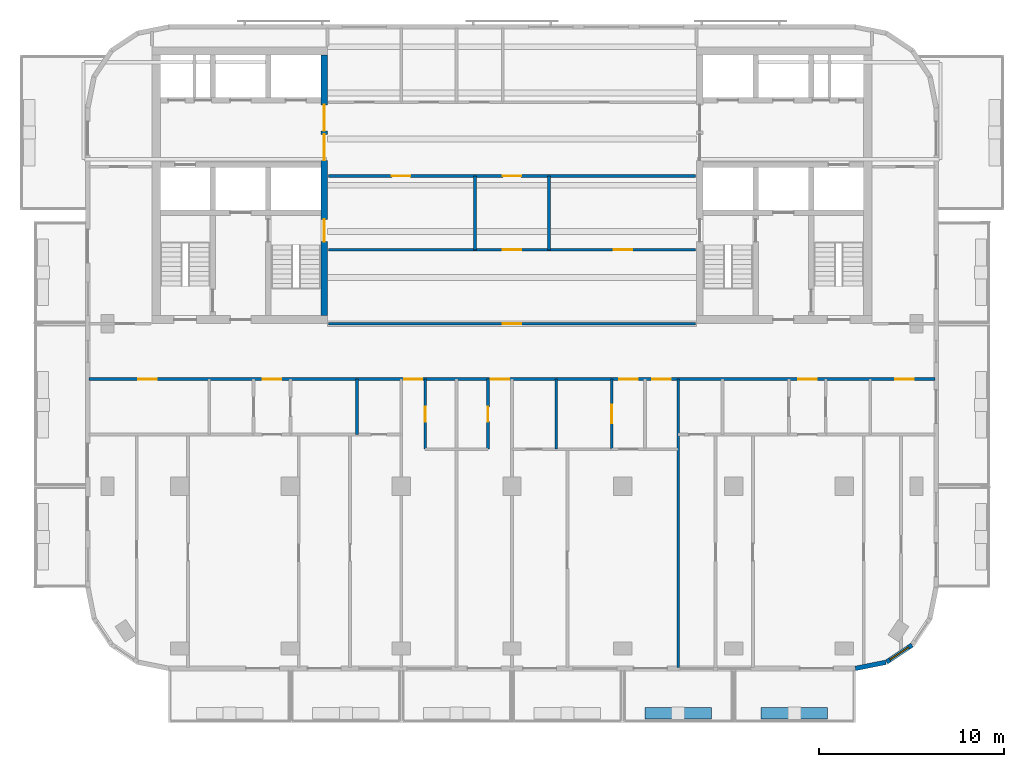
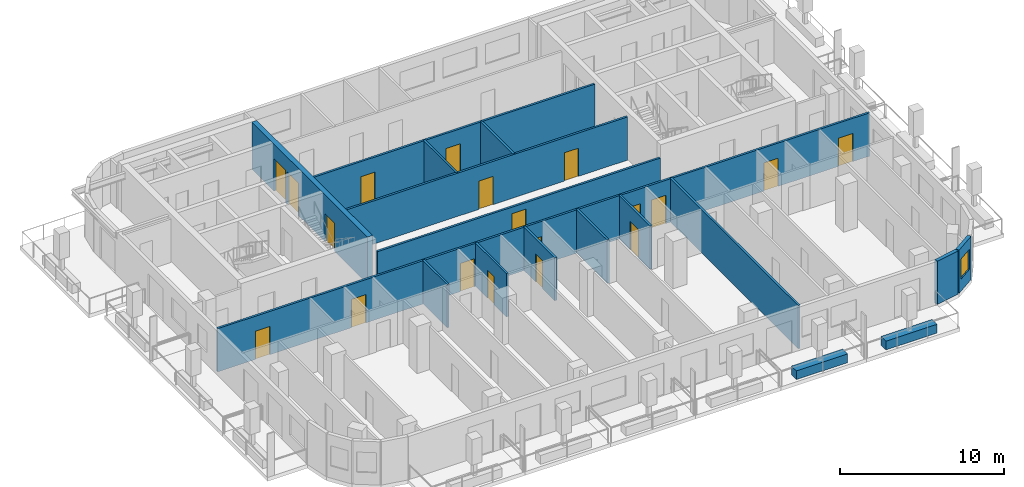
# One storey, part 4 of 11: 19 doors, 17 walls, 1 window, 20 openings.
"""IFC4 building model written with IfcOpenShell, lengths in metres."""

from ifc_helpers import new_model, si_unit, direction, frame, frame_2d, origin, place, context, subcontext, project, spatial, rectangle, extrude, material, layer, layer_set, type_object, element, fill, save


model = new_model("IFC4")

# Units and contexts
model_context = context("Model", 3, precision=1e-05, world=origin(), true_north=direction((0.0, 1.0)))
body_context = subcontext(model_context, "Body", "Model", "MODEL_VIEW")
ifc_project = project(units=[si_unit("LENGTHUNIT", "METRE"), si_unit("AREAUNIT", "SQUARE_METRE"), si_unit("VOLUMEUNIT", "CUBIC_METRE"), si_unit("PLANEANGLEUNIT", "RADIAN"), si_unit("MASSUNIT", "GRAM", prefix="KILO")], contexts=[model_context])

# Site, building, storey
site_placement = place(None, origin())
site = spatial("IfcSite", under=ifc_project, at=site_placement, CompositionType="ELEMENT")
building_placement = place(site_placement, origin())
building = spatial("IfcBuilding", under=site, at=building_placement, Name="Torana Hotel and Residences", CompositionType="ELEMENT")
storey_placement = place(building_placement, frame((0.0, 0.0, 298.10009765625)))
storey = spatial("IfcBuildingStorey", under=building, at=storey_placement, Name="L79", CompositionType="ELEMENT", Elevation=298.10009765625)

# Wall, openings, doors
ifc_material_1 = material(Name="Concrete C60/75", Category="concrete")
ifc_layer_1 = layer(ifc_material_1, 0.35009765625)
ifc_layer_set_1 = layer_set([ifc_layer_1], Name="CORE WALL 350 C60/75")
wall_type_1 = type_object("IfcWallType", Name="CORE WALL 350 C60/75", PredefinedType="SHEAR", material=ifc_layer_set_1)
wall_1_placement = place(storey_placement, frame((-10.175048828125, -14.550048828125, 0.0), z_axis=(0.0, 0.0, 1.0), x_axis=(0.0, 1.0, 0.0)))
wall_1 = element("IfcWall", 1, at=wall_1_placement, inside=storey, type_object=wall_type_1, Name="Core wall W arch", PredefinedType="SHEAR", context=body_context, shape_type="SweptSolid", body=[
    extrude(rectangle(XDim=14.10009765625, YDim=0.35009765625, at=frame_2d((7.050048828125, 0.0))), origin(), (0.0, 0.0, 1.0), 3.5),
])
opening_1_placement = place(wall_1_placement, frame((8.39990234375, 0.0, 0.0)))
opening_1 = element("IfcOpeningElement", 2, at=opening_1_placement, cuts=wall_1, Name="Opening L79-01", PredefinedType="OPENING", context=body_context, shape_type="SweptSolid", body=[
    extrude(rectangle(XDim=1.39990234375, YDim=2.39990234375, at=frame_2d((0.699951171875, 1.199951171875))), frame((0.0, 0.18505859375, 0.0), z_axis=(0.0, -1.0, 0.0), x_axis=(1.0, 0.0, 0.0)), (0.0, 0.0, 1.0), 0.3701171875),
])
opening_2_placement = place(wall_1_placement, frame((10.0, 0.0, 0.0)))
opening_2 = element("IfcOpeningElement", 3, at=opening_2_placement, cuts=wall_1, Name="Opening L79-02", PredefinedType="OPENING", context=body_context, shape_type="SweptSolid", body=[
    extrude(rectangle(XDim=1.39990234375, YDim=2.39990234375, at=frame_2d((0.699951171875, 1.199951171875))), frame((0.0, 0.18505859375, 0.0), z_axis=(0.0, -1.0, 0.0), x_axis=(1.0, 0.0, 0.0)), (0.0, 0.0, 1.0), 0.3701171875),
])
opening_3_placement = place(wall_1_placement, frame((4.0, 0.0, 0.0)))
opening_3 = element("IfcOpeningElement", 4, at=opening_3_placement, cuts=wall_1, Name="Opening L79-03", PredefinedType="OPENING", context=body_context, shape_type="SweptSolid", body=[
    extrude(rectangle(XDim=1.199951171875, YDim=2.10009765625, at=frame_2d((0.60009765625, 1.050048828125))), frame((0.0, 0.18505859375, 0.0), z_axis=(0.0, -1.0, 0.0), x_axis=(1.0, 0.0, 0.0)), (0.0, 0.0, 1.0), 0.3701171875),
])
ifc_material_2 = material(Name="Steel S235", Category="steel")
door_type_1 = type_object("IfcDoorType", Name="LOBBY FIRE DOOR D4 1400x2400", OperationType="DOUBLE_DOOR_SINGLE_SWING", PredefinedType="DOOR", material=ifc_material_2)
door_1_placement = place(opening_1_placement, origin())
door_1 = element("IfcDoor", 5, at=door_1_placement, inside=storey, type_object=door_type_1, Name="Lobby-1 door L79", OperationType="DOUBLE_DOOR_SINGLE_SWING", OverallHeight=2.39990234375, OverallWidth=1.39990234375, PredefinedType="DOOR", context=body_context, shape_type="SweptSolid", body=[
    extrude(rectangle(XDim=1.39990234375, YDim=2.39990234375, at=frame_2d((0.699951171875, 1.199951171875))), frame((0.0, 0.02490234375, 0.0), z_axis=(0.0, -1.0, 0.0), x_axis=(1.0, 0.0, 0.0)), (0.0, 0.0, 1.0), 0.050048828125),
])
fill(opening_1, door_1)
door_2_placement = place(opening_2_placement, origin())
door_2 = element("IfcDoor", 6, at=door_2_placement, inside=storey, type_object=door_type_1, Name="Lobby-2 door L79", OperationType="DOUBLE_DOOR_SINGLE_SWING", OverallHeight=2.39990234375, OverallWidth=1.39990234375, PredefinedType="DOOR", context=body_context, shape_type="SweptSolid", body=[
    extrude(rectangle(XDim=1.39990234375, YDim=2.39990234375, at=frame_2d((0.699951171875, 1.199951171875))), frame((0.0, 0.02490234375, 0.0), z_axis=(0.0, -1.0, 0.0), x_axis=(1.0, 0.0, 0.0)), (0.0, 0.0, 1.0), 0.050048828125),
])
fill(opening_2, door_2)
ifc_material_3 = material(Name="Steel S235", Category="steel")
door_type_2 = type_object("IfcDoorType", Name="STAIR FIRE DOOR D3 1200x2100", OperationType="SINGLE_SWING_LEFT", PredefinedType="DOOR", material=ifc_material_3)
door_3_placement = place(opening_3_placement, origin())
door_3 = element("IfcDoor", 7, at=door_3_placement, inside=storey, type_object=door_type_2, Name="Stair-A door L79", OperationType="SINGLE_SWING_LEFT", OverallHeight=2.10009765625, OverallWidth=1.199951171875, PredefinedType="DOOR", context=body_context, shape_type="SweptSolid", body=[
    extrude(rectangle(XDim=1.199951171875, YDim=2.10009765625, at=frame_2d((0.60009765625, 1.050048828125))), frame((0.0, 0.02490234375, 0.0), z_axis=(0.0, -1.0, 0.0), x_axis=(1.0, 0.0, 0.0)), (0.0, 0.0, 1.0), 0.050048828125),
])
fill(opening_3, door_3)

# Wall
ifc_material_4 = material(Name="Black aluminium composite panel", Category="aluminium")
ifc_layer_2 = layer(ifc_material_4, 0.00390625, Name="Cladding", Category="cladding")
ifc_material_5 = material(Name="Ventilated air cavity")
ifc_layer_3 = layer(ifc_material_5, 0.0400390625, Name="Ventilated cavity", Category="cavity")
ifc_material_6 = material(Name="Mineral wool insulation")
ifc_layer_4 = layer(ifc_material_6, 0.090087890625, Name="Insulation", Category="insulation")
ifc_material_7 = material(Name="Steel S280GD", Category="steel")
ifc_layer_5 = layer(ifc_material_7, 0.092041015625, Name="Steel stud frame", Category="structure")
ifc_material_8 = material(Name="Fire rated plasterboard")
ifc_layer_6 = layer(ifc_material_8, 0.011962890625, Name="Inner board", Category="finish")
ifc_layer_7 = layer(ifc_material_8, 0.011962890625, Name="Second board", Category="finish")
ifc_layer_set_2 = layer_set([ifc_layer_2, ifc_layer_3, ifc_layer_4, ifc_layer_5, ifc_layer_6, ifc_layer_7], Name="EW1 EXTERNAL WALL BLACK METAL CLAD 250")
wall_type_2 = type_object("IfcWallType", Name="EW1 EXTERNAL WALL BLACK METAL CLAD 250", PredefinedType="SOLIDWALL", material=ifc_layer_set_2)
wall_2_placement = place(storey_placement, frame((18.599853515625, -33.672607421875, 0.0), z_axis=(0.0, 0.0, 1.0), x_axis=(0.980770110232, 0.195166572128, 0.0)))
element("IfcWall", 8, at=wall_2_placement, inside=storey, type_object=wall_type_2, Name="External wall L79 e0.15", PredefinedType="SOLIDWALL", context=body_context, shape_type="SweptSolid", body=[
    extrude(rectangle(XDim=1.68115234375, YDim=0.25, at=frame_2d((0.840576171875, 0.0))), origin(), (0.0, 0.0, 1.0), 3.219970703125),
])

# Wall, opening, window
wall_3_placement = place(storey_placement, frame((20.2939453125, -33.325927734375, 0.0), z_axis=(0.0, 0.0, 1.0), x_axis=(0.831482937015, 0.55555029066, 0.0)))
wall_3 = element("IfcWall", 9, at=wall_3_placement, inside=storey, type_object=wall_type_2, Name="External wall L79 e0.16", PredefinedType="SOLIDWALL", context=body_context, shape_type="SweptSolid", body=[
    extrude(rectangle(XDim=1.65625, YDim=0.25, at=frame_2d((0.828125, 0.0))), origin(), (0.0, 0.0, 1.0), 3.219970703125),
])
opening_4_placement = place(wall_3_placement, frame((0.228271484375, 0.0, 0.89990234375)))
opening_4 = element("IfcOpeningElement", 10, at=opening_4_placement, cuts=wall_3, Name="Opening W5", PredefinedType="OPENING", context=body_context, shape_type="SweptSolid", body=[
    extrude(rectangle(XDim=1.199951171875, YDim=1.5, at=frame_2d((0.60009765625, 0.75))), frame((0.0, 0.135009765625, 0.0), z_axis=(0.0, -1.0, 0.0), x_axis=(1.0, 0.0, 0.0)), (0.0, 0.0, 1.0), 0.27001953125),
])
ifc_material_9 = material(Name="Dark glass in black aluminium frame", Category="aluminium")
window_type = type_object("IfcWindowType", Name="W5 CORNER FACET WINDOW 1200x1500", PartitioningType="SINGLE_PANEL", PredefinedType="WINDOW", material=ifc_material_9)
window_placement = place(opening_4_placement, origin())
window = element("IfcWindow", 11, at=window_placement, inside=storey, type_object=window_type, Name="Window L79 e0.16", OverallHeight=1.5, OverallWidth=1.199951171875, PartitioningType="SINGLE_PANEL", PredefinedType="WINDOW", context=body_context, shape_type="SweptSolid", body=[
    extrude(rectangle(XDim=1.199951171875, YDim=1.5, at=frame_2d((0.60009765625, 0.75))), frame((0.0, 0.030029296875, 0.0), z_axis=(0.0, -1.0, 0.0), x_axis=(1.0, 0.0, 0.0)), (0.0, 0.0, 1.0), 0.06005859375),
])
fill(opening_4, window)

# Wall, opening, door
ifc_material_10 = material(Name="Gypsum plaster")
ifc_layer_8 = layer(ifc_material_10, 0.014892578125, Name="Plaster", Category="finish")
ifc_material_11 = material(Name="Concrete blockwork", Category="masonry")
ifc_layer_9 = layer(ifc_material_11, 0.1201171875, Name="Blockwork", Category="structure")
ifc_layer_10 = layer(ifc_material_10, 0.014892578125, Name="Plaster", Category="finish")
ifc_layer_set_3 = layer_set([ifc_layer_8, ifc_layer_9, ifc_layer_10], Name="FIRE PARTITION 150 BLOCKWORK")
wall_type_3 = type_object("IfcWallType", Name="FIRE PARTITION 150 BLOCKWORK", PredefinedType="PARTITIONING", material=ifc_layer_set_3)
wall_4_placement = place(storey_placement, frame((5.39990234375, -21.800048828125, 0.0), z_axis=(0.0, 0.0, 1.0), x_axis=(0.0, 1.0, 0.0)))
wall_4 = element("IfcWall", 12, at=wall_4_placement, inside=storey, type_object=wall_type_3, Name="Partition L79", PredefinedType="PARTITIONING", context=body_context, shape_type="SweptSolid", body=[
    extrude(rectangle(XDim=3.800048828125, YDim=0.14990234375, at=frame_2d((1.89990234375, 0.0))), origin(), (0.0, 0.0, 1.0), 3.219970703125),
])
opening_5_placement = place(wall_4_placement, frame((1.39990234375, 0.0, 0.0)))
opening_5 = element("IfcOpeningElement", 13, at=opening_5_placement, cuts=wall_4, Name="Opening L79-41", PredefinedType="OPENING", context=body_context, shape_type="SweptSolid", body=[
    extrude(rectangle(XDim=1.0, YDim=2.10009765625, at=frame_2d((0.5, 1.050048828125))), frame((0.0, 0.0849609375, 0.0), z_axis=(0.0, -1.0, 0.0), x_axis=(1.0, 0.0, 0.0)), (0.0, 0.0, 1.0), 0.169921875),
])
ifc_material_12 = material(Name="Steel S235", Category="steel")
door_type_3 = type_object("IfcDoorType", Name="ENTRY FIRE DOOR D6 1000x2100", OperationType="SINGLE_SWING_LEFT", PredefinedType="DOOR", material=ifc_material_12)
door_4_placement = place(opening_5_placement, origin())
door_4 = element("IfcDoor", 14, at=door_4_placement, inside=storey, type_object=door_type_3, Name="Door L79", OperationType="SINGLE_SWING_RIGHT", OverallHeight=2.10009765625, OverallWidth=1.0, PredefinedType="DOOR", context=body_context, shape_type="SweptSolid", body=[
    extrude(rectangle(XDim=1.0, YDim=2.10009765625, at=frame_2d((0.5, 1.050048828125))), frame((0.0, 0.02490234375, 0.0), z_axis=(0.0, -1.0, 0.0), x_axis=(1.0, 0.0, 0.0)), (0.0, 0.0, 1.0), 0.050048828125),
])
fill(opening_5, door_4)

# Walls
for number, where, z_axis, x_axis, name in (
    (15, (2.0, -11.0, 0.0), (0.0, 0.0, 1.0), (0.0, 1.0, 0.0), "Partition L79"),
    (16, (-2.0, -11.0, 0.0), (0.0, 0.0, 1.0), (0.0, 1.0, 0.0), "Partition L79"),
):
    element("IfcWall", number, at=place(storey_placement, frame(where, z_axis=z_axis, x_axis=x_axis)), inside=storey, type_object=wall_type_3, Name=name, PredefinedType="PARTITIONING", context=body_context, shape_type="SweptSolid", body=[
        extrude(rectangle(XDim=4.0, YDim=0.14990234375, at=frame_2d((2.0, 0.0))), origin(), (0.0, 0.0, 1.0), 3.219970703125),
    ])

# Wall, openings, doors
wall_5_placement = place(storey_placement, frame((-22.919921875, -18.0, 0.0), z_axis=(0.0, 0.0, 1.0), x_axis=(1.0, 0.0, 0.0)))
wall_5 = element("IfcWall", 17, at=wall_5_placement, inside=storey, type_object=wall_type_3, Name="Partition L79", PredefinedType="PARTITIONING", context=body_context, shape_type="SweptSolid", body=[
    extrude(rectangle(XDim=45.83984375, YDim=0.14990234375, at=frame_2d((22.919921875, 0.0))), origin(), (0.0, 0.0, 1.0), 3.219970703125),
])
opening_6_placement = place(wall_5_placement, frame((17.070068359375, 0.0, 0.0)))
opening_6 = element("IfcOpeningElement", 18, at=opening_6_placement, cuts=wall_5, Name="Opening L79-20", PredefinedType="OPENING", context=body_context, shape_type="SweptSolid", body=[
    extrude(rectangle(XDim=1.0, YDim=2.10009765625, at=frame_2d((0.5, 1.050048828125))), frame((0.0, 0.0849609375, 0.0), z_axis=(0.0, -1.0, 0.0), x_axis=(1.0, 0.0, 0.0)), (0.0, 0.0, 1.0), 0.169921875),
])
opening_7_placement = place(wall_5_placement, frame((21.77001953125, 0.0, 0.0)))
opening_7 = element("IfcOpeningElement", 19, at=opening_7_placement, cuts=wall_5, Name="Opening L79-21", PredefinedType="OPENING", context=body_context, shape_type="SweptSolid", body=[
    extrude(rectangle(XDim=1.0, YDim=2.10009765625, at=frame_2d((0.5, 1.050048828125))), frame((0.0, 0.0849609375, 0.0), z_axis=(0.0, -1.0, 0.0), x_axis=(1.0, 0.0, 0.0)), (0.0, 0.0, 1.0), 0.169921875),
])
opening_8_placement = place(wall_5_placement, frame((28.719970703125, 0.0, 0.0)))
opening_8 = element("IfcOpeningElement", 20, at=opening_8_placement, cuts=wall_5, Name="Opening L79-22", PredefinedType="OPENING", context=body_context, shape_type="SweptSolid", body=[
    extrude(rectangle(XDim=1.0, YDim=2.10009765625, at=frame_2d((0.5, 1.050048828125))), frame((0.0, 0.0849609375, 0.0), z_axis=(0.0, -1.0, 0.0), x_axis=(1.0, 0.0, 0.0)), (0.0, 0.0, 1.0), 0.169921875),
])
opening_9_placement = place(wall_5_placement, frame((30.52001953125, 0.0, 0.0)))
opening_9 = element("IfcOpeningElement", 21, at=opening_9_placement, cuts=wall_5, Name="Opening L79-23", PredefinedType="OPENING", context=body_context, shape_type="SweptSolid", body=[
    extrude(rectangle(XDim=1.0, YDim=2.10009765625, at=frame_2d((0.5, 1.050048828125))), frame((0.0, 0.0849609375, 0.0), z_axis=(0.0, -1.0, 0.0), x_axis=(1.0, 0.0, 0.0)), (0.0, 0.0, 1.0), 0.169921875),
])
opening_10_placement = place(wall_5_placement, frame((9.419921875, 0.0, 0.0)))
opening_10 = element("IfcOpeningElement", 22, at=opening_10_placement, cuts=wall_5, Name="Opening L79-24", PredefinedType="OPENING", context=body_context, shape_type="SweptSolid", body=[
    extrude(rectangle(XDim=1.0, YDim=2.10009765625, at=frame_2d((0.5, 1.050048828125))), frame((0.0, 0.0849609375, 0.0), z_axis=(0.0, -1.0, 0.0), x_axis=(1.0, 0.0, 0.0)), (0.0, 0.0, 1.0), 0.169921875),
])
opening_11_placement = place(wall_5_placement, frame((2.669921875, 0.0, 0.0)))
opening_11 = element("IfcOpeningElement", 23, at=opening_11_placement, cuts=wall_5, Name="Opening L79-25", PredefinedType="OPENING", context=body_context, shape_type="SweptSolid", body=[
    extrude(rectangle(XDim=1.0, YDim=2.10009765625, at=frame_2d((0.5, 1.050048828125))), frame((0.0, 0.0849609375, 0.0), z_axis=(0.0, -1.0, 0.0), x_axis=(1.0, 0.0, 0.0)), (0.0, 0.0, 1.0), 0.169921875),
])
opening_12_placement = place(wall_5_placement, frame((38.419921875, 0.0, 0.0)))
opening_12 = element("IfcOpeningElement", 24, at=opening_12_placement, cuts=wall_5, Name="Opening L79-26", PredefinedType="OPENING", context=body_context, shape_type="SweptSolid", body=[
    extrude(rectangle(XDim=1.0, YDim=2.10009765625, at=frame_2d((0.5, 1.050048828125))), frame((0.0, 0.0849609375, 0.0), z_axis=(0.0, -1.0, 0.0), x_axis=(1.0, 0.0, 0.0)), (0.0, 0.0, 1.0), 0.169921875),
])
opening_13_placement = place(wall_5_placement, frame((43.669921875, 0.0, 0.0)))
opening_13 = element("IfcOpeningElement", 25, at=opening_13_placement, cuts=wall_5, Name="Opening L79-27", PredefinedType="OPENING", context=body_context, shape_type="SweptSolid", body=[
    extrude(rectangle(XDim=1.0, YDim=2.10009765625, at=frame_2d((0.5, 1.050048828125))), frame((0.0, 0.0849609375, 0.0), z_axis=(0.0, -1.0, 0.0), x_axis=(1.0, 0.0, 0.0)), (0.0, 0.0, 1.0), 0.169921875),
])
door_5_placement = place(opening_6_placement, frame((0.5, 0.0, 0.0), z_axis=(0.0, 0.0, 1.0), x_axis=(-1.0, 0.0, 0.0)))
door_5 = element("IfcDoor", 26, at=door_5_placement, inside=storey, type_object=door_type_3, Name="Door L79", OperationType="SINGLE_SWING_LEFT", OverallHeight=2.10009765625, OverallWidth=1.0, PredefinedType="DOOR", context=body_context, shape_type="SweptSolid", body=[
    extrude(rectangle(XDim=1.0, YDim=2.10009765625, at=frame_2d((0.0, 1.050048828125))), frame((0.0, -0.02490234375, 0.0), z_axis=(0.0, 1.0, 0.0), x_axis=(-1.0, 0.0, 0.0)), (0.0, 0.0, 1.0), 0.050048828125),
])
fill(opening_6, door_5)
door_6_placement = place(opening_7_placement, frame((0.5, 0.0, 0.0), z_axis=(0.0, 0.0, 1.0), x_axis=(-1.0, 0.0, 0.0)))
door_6 = element("IfcDoor", 27, at=door_6_placement, inside=storey, type_object=door_type_3, Name="Door L79", OperationType="SINGLE_SWING_LEFT", OverallHeight=2.10009765625, OverallWidth=1.0, PredefinedType="DOOR", context=body_context, shape_type="SweptSolid", body=[
    extrude(rectangle(XDim=1.0, YDim=2.10009765625, at=frame_2d((0.0, 1.050048828125))), frame((0.0, -0.02490234375, 0.0), z_axis=(0.0, 1.0, 0.0), x_axis=(-1.0, 0.0, 0.0)), (0.0, 0.0, 1.0), 0.050048828125),
])
fill(opening_7, door_6)
door_7_placement = place(opening_8_placement, origin())
door_7 = element("IfcDoor", 28, at=door_7_placement, inside=storey, type_object=door_type_3, Name="Door L79", OperationType="SINGLE_SWING_RIGHT", OverallHeight=2.10009765625, OverallWidth=1.0, PredefinedType="DOOR", context=body_context, shape_type="SweptSolid", body=[
    extrude(rectangle(XDim=1.0, YDim=2.10009765625, at=frame_2d((0.5, 1.050048828125))), frame((0.0, 0.02490234375, 0.0), z_axis=(0.0, -1.0, 0.0), x_axis=(1.0, 0.0, 0.0)), (0.0, 0.0, 1.0), 0.050048828125),
])
fill(opening_8, door_7)
door_8_placement = place(opening_9_placement, frame((0.5, 0.0, 0.0), z_axis=(0.0, 0.0, 1.0), x_axis=(-1.0, 0.0, 0.0)))
door_8 = element("IfcDoor", 29, at=door_8_placement, inside=storey, type_object=door_type_3, Name="Door L79", OperationType="SINGLE_SWING_LEFT", OverallHeight=2.10009765625, OverallWidth=1.0, PredefinedType="DOOR", context=body_context, shape_type="SweptSolid", body=[
    extrude(rectangle(XDim=1.0, YDim=2.10009765625, at=frame_2d((0.0, 1.050048828125))), frame((0.0, -0.02490234375, 0.0), z_axis=(0.0, 1.0, 0.0), x_axis=(-1.0, 0.0, 0.0)), (0.0, 0.0, 1.0), 0.050048828125),
])
fill(opening_9, door_8)
door_9_placement = place(opening_10_placement, origin())
door_9 = element("IfcDoor", 30, at=door_9_placement, inside=storey, type_object=door_type_3, Name="Door L79", OperationType="SINGLE_SWING_RIGHT", OverallHeight=2.10009765625, OverallWidth=1.0, PredefinedType="DOOR", context=body_context, shape_type="SweptSolid", body=[
    extrude(rectangle(XDim=1.0, YDim=2.10009765625, at=frame_2d((0.5, 1.050048828125))), frame((0.0, 0.02490234375, 0.0), z_axis=(0.0, -1.0, 0.0), x_axis=(1.0, 0.0, 0.0)), (0.0, 0.0, 1.0), 0.050048828125),
])
fill(opening_10, door_9)
door_10_placement = place(opening_11_placement, frame((0.5, 0.0, 0.0), z_axis=(0.0, 0.0, 1.0), x_axis=(-1.0, 0.0, 0.0)))
door_10 = element("IfcDoor", 31, at=door_10_placement, inside=storey, type_object=door_type_3, Name="Door L79", OperationType="SINGLE_SWING_LEFT", OverallHeight=2.10009765625, OverallWidth=1.0, PredefinedType="DOOR", context=body_context, shape_type="SweptSolid", body=[
    extrude(rectangle(XDim=1.0, YDim=2.10009765625, at=frame_2d((0.0, 1.050048828125))), frame((0.0, -0.02490234375, 0.0), z_axis=(0.0, 1.0, 0.0), x_axis=(-1.0, 0.0, 0.0)), (0.0, 0.0, 1.0), 0.050048828125),
])
fill(opening_11, door_10)
door_11_placement = place(opening_12_placement, origin())
door_11 = element("IfcDoor", 32, at=door_11_placement, inside=storey, type_object=door_type_3, Name="Door L79", OperationType="SINGLE_SWING_RIGHT", OverallHeight=2.10009765625, OverallWidth=1.0, PredefinedType="DOOR", context=body_context, shape_type="SweptSolid", body=[
    extrude(rectangle(XDim=1.0, YDim=2.10009765625, at=frame_2d((0.5, 1.050048828125))), frame((0.0, 0.02490234375, 0.0), z_axis=(0.0, -1.0, 0.0), x_axis=(1.0, 0.0, 0.0)), (0.0, 0.0, 1.0), 0.050048828125),
])
fill(opening_12, door_11)
door_12_placement = place(opening_13_placement, frame((0.5, 0.0, 0.0), z_axis=(0.0, 0.0, 1.0), x_axis=(-1.0, 0.0, 0.0)))
door_12 = element("IfcDoor", 33, at=door_12_placement, inside=storey, type_object=door_type_3, Name="Door L79", OperationType="SINGLE_SWING_RIGHT", OverallHeight=2.10009765625, OverallWidth=1.0, PredefinedType="DOOR", context=body_context, shape_type="SweptSolid", body=[
    extrude(rectangle(XDim=1.0, YDim=2.10009765625, at=frame_2d((0.0, 1.050048828125))), frame((0.0, -0.02490234375, 0.0), z_axis=(0.0, 1.0, 0.0), x_axis=(-1.0, 0.0, 0.0)), (0.0, 0.0, 1.0), 0.050048828125),
])
fill(opening_13, door_12)

# Wall, opening, door
wall_6_placement = place(storey_placement, frame((-9.949951171875, -15.0, 0.0), z_axis=(0.0, 0.0, 1.0), x_axis=(1.0, 0.0, 0.0)))
wall_6 = element("IfcWall", 34, at=wall_6_placement, inside=storey, type_object=wall_type_3, Name="Partition L79", PredefinedType="PARTITIONING", context=body_context, shape_type="SweptSolid", body=[
    extrude(rectangle(XDim=19.89990234375, YDim=0.14990234375, at=frame_2d((9.949951171875, 0.0))), origin(), (0.0, 0.0, 1.0), 2.583984375),
])
opening_14_placement = place(wall_6_placement, frame((9.449951171875, 0.0, 0.0)))
opening_14 = element("IfcOpeningElement", 35, at=opening_14_placement, cuts=wall_6, Name="Opening L79-19", PredefinedType="OPENING", context=body_context, shape_type="SweptSolid", body=[
    extrude(rectangle(XDim=1.0, YDim=2.10009765625, at=frame_2d((0.5, 1.050048828125))), frame((0.0, 0.0849609375, 0.0), z_axis=(0.0, -1.0, 0.0), x_axis=(1.0, 0.0, 0.0)), (0.0, 0.0, 1.0), 0.169921875),
])
door_13_placement = place(opening_14_placement, origin())
door_13 = element("IfcDoor", 36, at=door_13_placement, inside=storey, type_object=door_type_3, Name="Door L79", OperationType="SINGLE_SWING_RIGHT", OverallHeight=2.10009765625, OverallWidth=1.0, PredefinedType="DOOR", context=body_context, shape_type="SweptSolid", body=[
    extrude(rectangle(XDim=1.0, YDim=2.10009765625, at=frame_2d((0.5, 1.050048828125))), frame((0.0, 0.02490234375, 0.0), z_axis=(0.0, -1.0, 0.0), x_axis=(1.0, 0.0, 0.0)), (0.0, 0.0, 1.0), 0.050048828125),
])
fill(opening_14, door_13)

# Wall, openings, doors
wall_7_placement = place(storey_placement, frame((-9.949951171875, -11.0, 0.0), z_axis=(0.0, 0.0, 1.0), x_axis=(1.0, 0.0, 0.0)))
wall_7 = element("IfcWall", 37, at=wall_7_placement, inside=storey, type_object=wall_type_3, Name="Partition L79", PredefinedType="PARTITIONING", context=body_context, shape_type="SweptSolid", body=[
    extrude(rectangle(XDim=19.89990234375, YDim=0.14990234375, at=frame_2d((9.949951171875, 0.0))), origin(), (0.0, 0.0, 1.0), 3.219970703125),
])
opening_15_placement = place(wall_7_placement, frame((9.449951171875, 0.0, 0.0)))
opening_15 = element("IfcOpeningElement", 38, at=opening_15_placement, cuts=wall_7, Name="Opening L79-30", PredefinedType="OPENING", context=body_context, shape_type="SweptSolid", body=[
    extrude(rectangle(XDim=1.0, YDim=2.10009765625, at=frame_2d((0.5, 1.050048828125))), frame((0.0, 0.0849609375, 0.0), z_axis=(0.0, -1.0, 0.0), x_axis=(1.0, 0.0, 0.0)), (0.0, 0.0, 1.0), 0.169921875),
])
opening_16_placement = place(wall_7_placement, frame((15.449951171875, 0.0, 0.0)))
opening_16 = element("IfcOpeningElement", 39, at=opening_16_placement, cuts=wall_7, Name="Opening L79-31", PredefinedType="OPENING", context=body_context, shape_type="SweptSolid", body=[
    extrude(rectangle(XDim=1.0, YDim=2.10009765625, at=frame_2d((0.5, 1.050048828125))), frame((0.0, 0.0849609375, 0.0), z_axis=(0.0, -1.0, 0.0), x_axis=(1.0, 0.0, 0.0)), (0.0, 0.0, 1.0), 0.169921875),
])
door_14_placement = place(opening_15_placement, origin())
door_14 = element("IfcDoor", 40, at=door_14_placement, inside=storey, type_object=door_type_3, Name="Door L79", OperationType="SINGLE_SWING_RIGHT", OverallHeight=2.10009765625, OverallWidth=1.0, PredefinedType="DOOR", context=body_context, shape_type="SweptSolid", body=[
    extrude(rectangle(XDim=1.0, YDim=2.10009765625, at=frame_2d((0.5, 1.050048828125))), frame((0.0, 0.02490234375, 0.0), z_axis=(0.0, -1.0, 0.0), x_axis=(1.0, 0.0, 0.0)), (0.0, 0.0, 1.0), 0.050048828125),
])
fill(opening_15, door_14)
door_15_placement = place(opening_16_placement, origin())
door_15 = element("IfcDoor", 41, at=door_15_placement, inside=storey, type_object=door_type_3, Name="Door L79", OperationType="SINGLE_SWING_RIGHT", OverallHeight=2.10009765625, OverallWidth=1.0, PredefinedType="DOOR", context=body_context, shape_type="SweptSolid", body=[
    extrude(rectangle(XDim=1.0, YDim=2.10009765625, at=frame_2d((0.5, 1.050048828125))), frame((0.0, 0.02490234375, 0.0), z_axis=(0.0, -1.0, 0.0), x_axis=(1.0, 0.0, 0.0)), (0.0, 0.0, 1.0), 0.050048828125),
])
fill(opening_16, door_15)

wall_8_placement = place(storey_placement, frame((-9.949951171875, -7.0, 0.0), z_axis=(0.0, 0.0, 1.0), x_axis=(1.0, 0.0, 0.0)))
wall_8 = element("IfcWall", 42, at=wall_8_placement, inside=storey, type_object=wall_type_3, Name="Partition L79", PredefinedType="PARTITIONING", context=body_context, shape_type="SweptSolid", body=[
    extrude(rectangle(XDim=19.89990234375, YDim=0.14990234375, at=frame_2d((9.949951171875, 0.0))), origin(), (0.0, 0.0, 1.0), 3.219970703125),
])
opening_17_placement = place(wall_8_placement, frame((9.449951171875, 0.0, 0.0)))
opening_17 = element("IfcOpeningElement", 43, at=opening_17_placement, cuts=wall_8, Name="Opening L79-32", PredefinedType="OPENING", context=body_context, shape_type="SweptSolid", body=[
    extrude(rectangle(XDim=1.0, YDim=2.10009765625, at=frame_2d((0.5, 1.050048828125))), frame((0.0, 0.0849609375, 0.0), z_axis=(0.0, -1.0, 0.0), x_axis=(1.0, 0.0, 0.0)), (0.0, 0.0, 1.0), 0.169921875),
])
opening_18_placement = place(wall_8_placement, frame((3.449951171875, 0.0, 0.0)))
opening_18 = element("IfcOpeningElement", 44, at=opening_18_placement, cuts=wall_8, Name="Opening L79-33", PredefinedType="OPENING", context=body_context, shape_type="SweptSolid", body=[
    extrude(rectangle(XDim=1.0, YDim=2.10009765625, at=frame_2d((0.5, 1.050048828125))), frame((0.0, 0.0849609375, 0.0), z_axis=(0.0, -1.0, 0.0), x_axis=(1.0, 0.0, 0.0)), (0.0, 0.0, 1.0), 0.169921875),
])
door_16_placement = place(opening_17_placement, origin())
door_16 = element("IfcDoor", 45, at=door_16_placement, inside=storey, type_object=door_type_3, Name="Door L79", OperationType="SINGLE_SWING_RIGHT", OverallHeight=2.10009765625, OverallWidth=1.0, PredefinedType="DOOR", context=body_context, shape_type="SweptSolid", body=[
    extrude(rectangle(XDim=1.0, YDim=2.10009765625, at=frame_2d((0.5, 1.050048828125))), frame((0.0, 0.02490234375, 0.0), z_axis=(0.0, -1.0, 0.0), x_axis=(1.0, 0.0, 0.0)), (0.0, 0.0, 1.0), 0.050048828125),
])
fill(opening_17, door_16)
door_17_placement = place(opening_18_placement, frame((0.5, 0.0, 0.0), z_axis=(0.0, 0.0, 1.0), x_axis=(-1.0, 0.0, 0.0)))
door_17 = element("IfcDoor", 46, at=door_17_placement, inside=storey, type_object=door_type_3, Name="Door L79", OperationType="SINGLE_SWING_LEFT", OverallHeight=2.10009765625, OverallWidth=1.0, PredefinedType="DOOR", context=body_context, shape_type="SweptSolid", body=[
    extrude(rectangle(XDim=1.0, YDim=2.10009765625, at=frame_2d((0.0, 1.050048828125))), frame((0.0, -0.02490234375, 0.0), z_axis=(0.0, 1.0, 0.0), x_axis=(-1.0, 0.0, 0.0)), (0.0, 0.0, 1.0), 0.050048828125),
])
fill(opening_18, door_17)

# Walls
ifc_material_13 = material(Name="Gypsum plasterboard")
ifc_layer_11 = layer(ifc_material_13, 0.012451171875, Name="Plasterboard", Category="finish")
ifc_layer_12 = layer(ifc_material_13, 0.012451171875, Name="Plasterboard", Category="finish")
ifc_layer_13 = layer(ifc_material_7, 0.10009765625, Name="Steel studs with mineral wool", Category="insulation")
ifc_layer_14 = layer(ifc_material_13, 0.012451171875, Name="Plasterboard", Category="finish")
ifc_layer_15 = layer(ifc_material_13, 0.012451171875, Name="Plasterboard", Category="finish")
ifc_layer_set_4 = layer_set([ifc_layer_11, ifc_layer_12, ifc_layer_13, ifc_layer_14, ifc_layer_15], Name="PARTITION 150 PLASTERBOARD")
wall_type_4 = type_object("IfcWallType", Name="PARTITION 150 PLASTERBOARD", PredefinedType="PARTITIONING", material=ifc_layer_set_4)
wall_9_placement = place(storey_placement, frame((9.0, -33.6201171875, 0.0), z_axis=(0.0, 0.0, 1.0), x_axis=(0.0, 1.0, 0.0)))
element("IfcWall", 47, at=wall_9_placement, inside=storey, type_object=wall_type_4, Name="Partition L79", PredefinedType="PARTITIONING", context=body_context, shape_type="SweptSolid", body=[
    extrude(rectangle(XDim=15.6201171875, YDim=0.14990234375, at=frame_2d((7.81005859375, 0.0))), origin(), (0.0, 0.0, 1.0), 3.219970703125),
])
wall_10_placement = place(storey_placement, frame((2.39990234375, -21.800048828125, 0.0), z_axis=(0.0, 0.0, 1.0), x_axis=(0.0, 1.0, 0.0)))
element("IfcWall", 48, at=wall_10_placement, inside=storey, type_object=wall_type_4, Name="Partition L79", PredefinedType="PARTITIONING", context=body_context, shape_type="SweptSolid", body=[
    extrude(rectangle(XDim=3.800048828125, YDim=0.14990234375, at=frame_2d((1.89990234375, 0.0))), origin(), (0.0, 0.0, 1.0), 3.219970703125),
])

# Wall, opening, door
wall_11_placement = place(storey_placement, frame((-1.300048828125, -21.800048828125, 0.0), z_axis=(0.0, 0.0, 1.0), x_axis=(0.0, 1.0, 0.0)))
wall_11 = element("IfcWall", 49, at=wall_11_placement, inside=storey, type_object=wall_type_4, Name="Partition L79", PredefinedType="PARTITIONING", context=body_context, shape_type="SweptSolid", body=[
    extrude(rectangle(XDim=3.800048828125, YDim=0.14990234375, at=frame_2d((1.89990234375, 0.0))), origin(), (0.0, 0.0, 1.0), 3.219970703125),
])
opening_19_placement = place(wall_11_placement, frame((1.5, 0.0, 0.0)))
opening_19 = element("IfcOpeningElement", 50, at=opening_19_placement, cuts=wall_11, Name="Opening L79-39", PredefinedType="OPENING", context=body_context, shape_type="SweptSolid", body=[
    extrude(rectangle(XDim=0.800048828125, YDim=2.10009765625, at=frame_2d((0.39990234375, 1.050048828125))), frame((0.0, 0.0849609375, 0.0), z_axis=(0.0, -1.0, 0.0), x_axis=(1.0, 0.0, 0.0)), (0.0, 0.0, 1.0), 0.169921875),
])
ifc_material_14 = material(Name="Timber door, painted", Category="wood")
door_type_4 = type_object("IfcDoorType", Name="BATH DOOR D13 800x2100", OperationType="SINGLE_SWING_LEFT", PredefinedType="DOOR", material=ifc_material_14)
door_18_placement = place(opening_19_placement, origin())
door_18 = element("IfcDoor", 51, at=door_18_placement, inside=storey, type_object=door_type_4, Name="Door L79", OperationType="SINGLE_SWING_RIGHT", OverallHeight=2.10009765625, OverallWidth=0.800048828125, PredefinedType="DOOR", context=body_context, shape_type="SweptSolid", body=[
    extrude(rectangle(XDim=0.800048828125, YDim=2.10009765625, at=frame_2d((0.39990234375, 1.050048828125))), frame((0.0, 0.02490234375, 0.0), z_axis=(0.0, -1.0, 0.0), x_axis=(1.0, 0.0, 0.0)), (0.0, 0.0, 1.0), 0.050048828125),
])
fill(opening_19, door_18)

wall_12_placement = place(storey_placement, frame((-4.699951171875, -21.800048828125, 0.0), z_axis=(0.0, 0.0, 1.0), x_axis=(0.0, 1.0, 0.0)))
wall_12 = element("IfcWall", 52, at=wall_12_placement, inside=storey, type_object=wall_type_4, Name="Partition L79", PredefinedType="PARTITIONING", context=body_context, shape_type="SweptSolid", body=[
    extrude(rectangle(XDim=3.800048828125, YDim=0.14990234375, at=frame_2d((1.89990234375, 0.0))), origin(), (0.0, 0.0, 1.0), 3.219970703125),
])
opening_20_placement = place(wall_12_placement, frame((1.5, 0.0, 0.0)))
opening_20 = element("IfcOpeningElement", 53, at=opening_20_placement, cuts=wall_12, Name="Opening L79-38", PredefinedType="OPENING", context=body_context, shape_type="SweptSolid", body=[
    extrude(rectangle(XDim=0.800048828125, YDim=2.10009765625, at=frame_2d((0.39990234375, 1.050048828125))), frame((0.0, 0.0849609375, 0.0), z_axis=(0.0, -1.0, 0.0), x_axis=(1.0, 0.0, 0.0)), (0.0, 0.0, 1.0), 0.169921875),
])
door_19_placement = place(opening_20_placement, origin())
door_19 = element("IfcDoor", 54, at=door_19_placement, inside=storey, type_object=door_type_4, Name="Door L79", OperationType="SINGLE_SWING_RIGHT", OverallHeight=2.10009765625, OverallWidth=0.800048828125, PredefinedType="DOOR", context=body_context, shape_type="SweptSolid", body=[
    extrude(rectangle(XDim=0.800048828125, YDim=2.10009765625, at=frame_2d((0.39990234375, 1.050048828125))), frame((0.0, 0.02490234375, 0.0), z_axis=(0.0, -1.0, 0.0), x_axis=(1.0, 0.0, 0.0)), (0.0, 0.0, 1.0), 0.050048828125),
])
fill(opening_20, door_19)

# Walls
wall_13_placement = place(storey_placement, frame((-8.39990234375, -21.0, 0.0), z_axis=(0.0, 0.0, 1.0), x_axis=(0.0, 1.0, 0.0)))
element("IfcWall", 55, at=wall_13_placement, inside=storey, type_object=wall_type_4, Name="Partition L79", PredefinedType="PARTITIONING", context=body_context, shape_type="SweptSolid", body=[
    extrude(rectangle(XDim=3.0, YDim=0.14990234375, at=frame_2d((1.5, 0.0))), origin(), (0.0, 0.0, 1.0), 3.219970703125),
])
ifc_material_15 = material(Name="Concrete C40/50 precast", Category="concrete")
ifc_layer_16 = layer(ifc_material_15, 0.10009765625, Name="Planter shell", Category="structure")
ifc_material_16 = material(Name="Root resistant membrane")
ifc_layer_17 = layer(ifc_material_16, 0.00390625, Name="Waterproofing membrane", Category="membrane")
ifc_material_17 = material(Name="Drainage board with filter fleece")
ifc_layer_18 = layer(ifc_material_17, 0.02001953125, Name="Drainage board", Category="drainage")
ifc_material_18 = material(Name="Growing medium")
ifc_layer_19 = layer(ifc_material_18, 0.47607421875, Name="Planting substrate", Category="soil")
ifc_layer_set_5 = layer_set([ifc_layer_16, ifc_layer_17, ifc_layer_18, ifc_layer_19], Name="PL1 BALCONY PLANTER 600")
wall_type_5 = type_object("IfcWallType", Name="PL1 BALCONY PLANTER 600", PredefinedType="USERDEFINED", material=ifc_layer_set_5)
for number, where, z_axis, x_axis, name in (
    (56, (10.800048828125, -36.10009765625, 0.0), (0.0, 0.0, 1.0), (-1.0, 0.0, 0.0), "Planter 05"),
    (57, (17.10009765625, -36.10009765625, 0.0), (0.0, 0.0, 1.0), (-1.0, 0.0, 0.0), "Planter 06"),
):
    element("IfcWall", number, at=place(storey_placement, frame(where, z_axis=z_axis, x_axis=x_axis)), inside=storey, type_object=wall_type_5, Name=name, ObjectType="PLANTER", PredefinedType="USERDEFINED", context=body_context, shape_type="SweptSolid", body=[
        extrude(rectangle(XDim=3.60009765625, YDim=0.60009765625, at=frame_2d((1.800048828125, 0.0))), origin(), (0.0, 0.0, 1.0), 0.64990234375),
    ])

save(model, "model.ifc")
